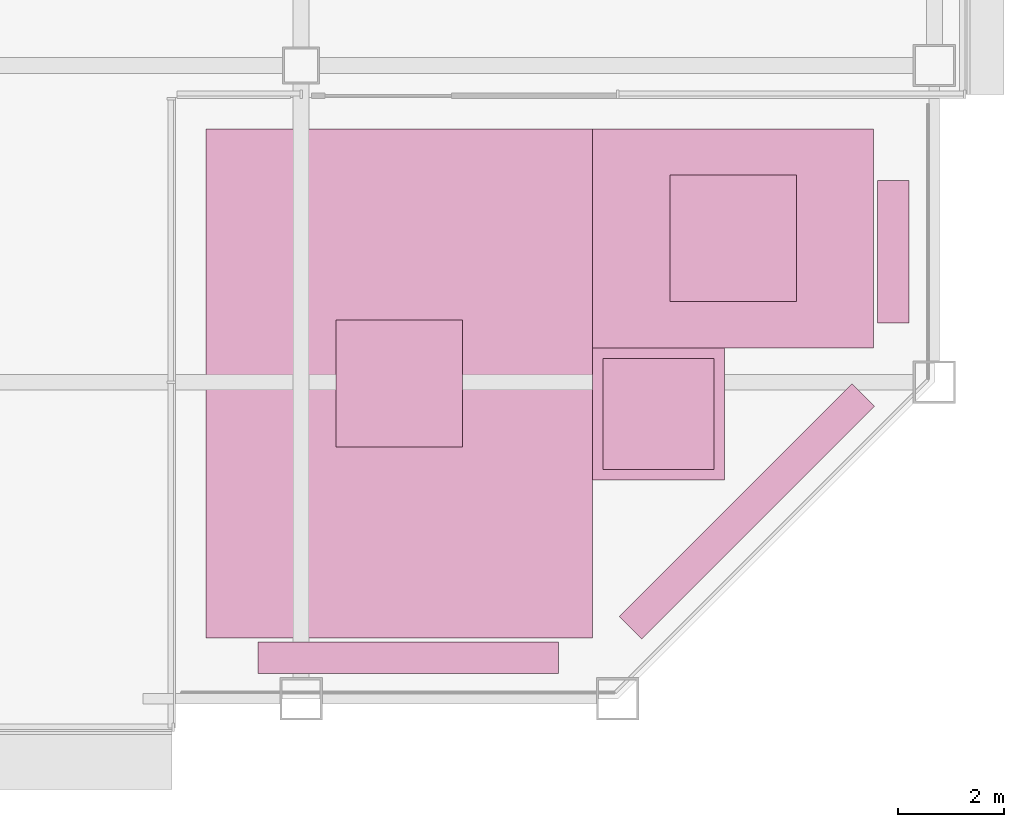
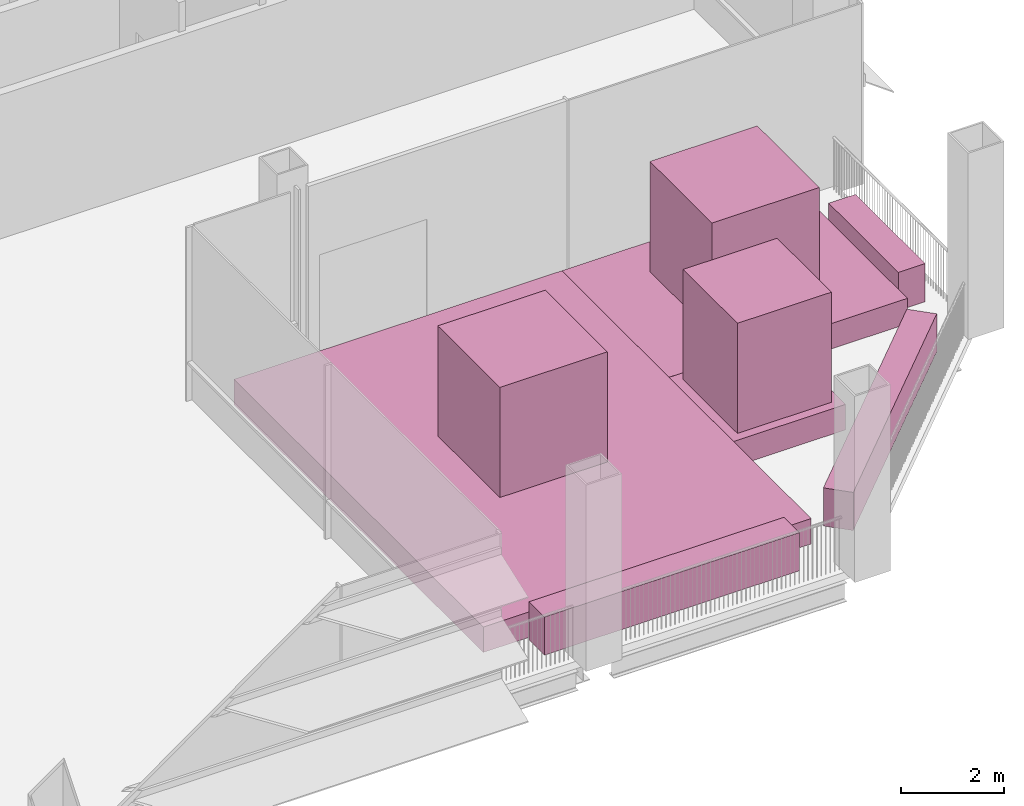
# One storey, part 28 of 28: 9 furniture elements.
"""IFC4 building model written with IfcOpenShell, lengths in metres."""

from ifc_helpers import new_model, si_unit, direction, frame, origin, origin_2d, place, context, subcontext, project, spatial, rectangle, extrude, material, type_object, element, save


model = new_model("IFC4")

# Units and contexts
model_context = context("Model", 3, precision=1e-05, world=origin(), true_north=direction((0.0, 1.0)))
body_context = subcontext(model_context, "Body", "Model", "MODEL_VIEW")
ifc_project = project(units=[si_unit("LENGTHUNIT", "METRE"), si_unit("AREAUNIT", "SQUARE_METRE"), si_unit("VOLUMEUNIT", "CUBIC_METRE"), si_unit("PLANEANGLEUNIT", "RADIAN"), si_unit("MASSUNIT", "GRAM", prefix="KILO")], contexts=[model_context])

# Site, building, storey
site_placement = place(None, origin())
site = spatial("IfcSite", under=ifc_project, at=site_placement, CompositionType="ELEMENT")
building_placement = place(site_placement, origin())
building = spatial("IfcBuilding", under=site, at=building_placement, Name="Sorahane Residences", CompositionType="ELEMENT")
storey_placement = place(building_placement, frame((0.0, 0.0, 134.0)))
storey = spatial("IfcBuildingStorey", under=building, at=storey_placement, Name="L30", CompositionType="ELEMENT", Elevation=134.0)

# Furniture
ifc_material_1 = material(Name="Planting soil with shrubs in a steel-framed bed", Category="steel")
furniture_type_1 = type_object("IfcFurnitureType", Name="PLANTER bed black steel frame with soil 2500x2500", AssemblyPlace="NOTDEFINED", PredefinedType="NOTDEFINED", material=ifc_material_1)
furniture_1_placement = place(storey_placement, frame((54.773681640625, 5.39990234375, 0.0), z_axis=(0.0, 0.0, 1.0), x_axis=(1.0, 0.0, 0.0)))
element("IfcFurniture", 1, at=furniture_1_placement, inside=storey, type_object=furniture_type_1, Name="PLANTER bed L30.1.3", PredefinedType="NOTDEFINED", context=body_context, shape_type="SweptSolid", body=[
    extrude(rectangle(XDim=2.5, YDim=2.5, at=origin_2d()), origin(), (0.0, 0.0, 1.0), 0.60009765625),
])
ifc_material_2 = material(Name="Planting soil with shrubs in a steel-framed bed", Category="steel")
furniture_type_2 = type_object("IfcFurnitureType", Name="PLANTER bed black steel frame with soil 5326x4150", AssemblyPlace="NOTDEFINED", PredefinedType="NOTDEFINED", material=ifc_material_2)
furniture_2_placement = place(storey_placement, frame((56.186767578125, 8.72509765625, 0.0), z_axis=(0.0, 0.0, 1.0), x_axis=(1.0, 0.0, 0.0)))
element("IfcFurniture", 2, at=furniture_2_placement, inside=storey, type_object=furniture_type_2, Name="PLANTER bed L30.1.2", PredefinedType="NOTDEFINED", context=body_context, shape_type="SweptSolid", body=[
    extrude(rectangle(XDim=5.326416015625, YDim=4.14990234375, at=origin_2d()), origin(), (0.0, 0.0, 1.0), 0.60009765625),
])
ifc_material_3 = material(Name="Planting soil with shrubs in a steel-framed bed", Category="steel")
furniture_type_3 = type_object("IfcFurnitureType", Name="PLANTER bed black steel frame with soil 7324x9650", AssemblyPlace="NOTDEFINED", PredefinedType="NOTDEFINED", material=ifc_material_3)
furniture_3_placement = place(storey_placement, frame((49.86181640625, 5.97509765625, 0.0), z_axis=(0.0, 0.0, 1.0), x_axis=(1.0, 0.0, 0.0)))
element("IfcFurniture", 3, at=furniture_3_placement, inside=storey, type_object=furniture_type_3, Name="PLANTER bed L30.1.1", PredefinedType="NOTDEFINED", context=body_context, shape_type="SweptSolid", body=[
    extrude(rectangle(XDim=7.32373046875, YDim=9.64990234375, at=origin_2d()), origin(), (0.0, 0.0, 1.0), 0.60009765625),
])
ifc_material_4 = material(Name="Planting soil with hedge in a steel-framed trough", Category="steel")
furniture_type_4 = type_object("IfcFurnitureType", Name="PLANTER hedge strip black steel frame with soil", AssemblyPlace="NOTDEFINED", PredefinedType="NOTDEFINED", material=ifc_material_4)
furniture_4_placement = place(storey_placement, frame((59.219970703125, 8.471435546875, 0.0), z_axis=(0.0, 0.0, 1.0), x_axis=(0.0, -1.0, 0.0)))
element("IfcFurniture", 4, at=furniture_4_placement, inside=storey, type_object=furniture_type_4, Name="PLANTER hedge L30.1.1", PredefinedType="NOTDEFINED", context=body_context, shape_type="SweptSolid", body=[
    extrude(rectangle(XDim=2.697021484375, YDim=0.60009765625, at=origin_2d()), origin(), (0.0, 0.0, 1.0), 0.89990234375),
])
furniture_5_placement = place(storey_placement, frame((56.448486328125, 3.551513671875, 0.0), z_axis=(0.0, 0.0, 1.0), x_axis=(-0.707106781187, -0.707106781187, 0.0)))
element("IfcFurniture", 5, at=furniture_5_placement, inside=storey, type_object=furniture_type_4, Name="PLANTER hedge L30.1.2", PredefinedType="NOTDEFINED", context=body_context, shape_type="SweptSolid", body=[
    extrude(rectangle(XDim=6.239013671875, YDim=0.60009765625, at=origin_2d()), origin(), (0.0, 0.0, 1.0), 0.89990234375),
])
furniture_6_placement = place(storey_placement, frame((50.028564453125, 0.780029296875, 0.0), z_axis=(0.0, 0.0, 1.0), x_axis=(-1.0, 0.0, 0.0)))
element("IfcFurniture", 6, at=furniture_6_placement, inside=storey, type_object=furniture_type_4, Name="PLANTER hedge L30.1.3", PredefinedType="NOTDEFINED", context=body_context, shape_type="SweptSolid", body=[
    extrude(rectangle(XDim=5.697021484375, YDim=0.60009765625, at=origin_2d()), origin(), (0.0, 0.0, 1.0), 0.89990234375),
])
ifc_material_5 = material(Name="Green foliage shrub planting")
furniture_type_5 = type_object("IfcFurnitureType", Name="PLANTER shrub planting green foliage", AssemblyPlace="NOTDEFINED", PredefinedType="NOTDEFINED", material=ifc_material_5)
for number, where, z_axis, x_axis, name in (
    (7, (49.86181640625, 5.97509765625, 0.599853515625), (0.0, 0.0, 1.0), (1.0, 0.0, 0.0), "PLANTER shrub L30.1.1"),
    (8, (56.186767578125, 8.72509765625, 0.599853515625), (0.0, 0.0, 1.0), (1.0, 0.0, 0.0), "PLANTER shrub L30.1.2"),
):
    element("IfcFurniture", number, at=place(storey_placement, frame(where, z_axis=z_axis, x_axis=x_axis)), inside=storey, type_object=furniture_type_5, Name=name, PredefinedType="NOTDEFINED", context=body_context, shape_type="SweptSolid", body=[
        extrude(rectangle(XDim=2.39990234375, YDim=2.39990234375, at=origin_2d()), origin(), (0.0, 0.0, 1.0), 2.60009765625),
    ])
furniture_7_placement = place(storey_placement, frame((54.773681640625, 5.39990234375, 0.599853515625), z_axis=(0.0, 0.0, 1.0), x_axis=(1.0, 0.0, 0.0)))
element("IfcFurniture", 9, at=furniture_7_placement, inside=storey, type_object=furniture_type_5, Name="PLANTER shrub L30.1.3", PredefinedType="NOTDEFINED", context=body_context, shape_type="SweptSolid", body=[
    extrude(rectangle(XDim=2.10009765625, YDim=2.10009765625, at=origin_2d()), origin(), (0.0, 0.0, 1.0), 2.60009765625),
])

save(model, "model.ifc")
